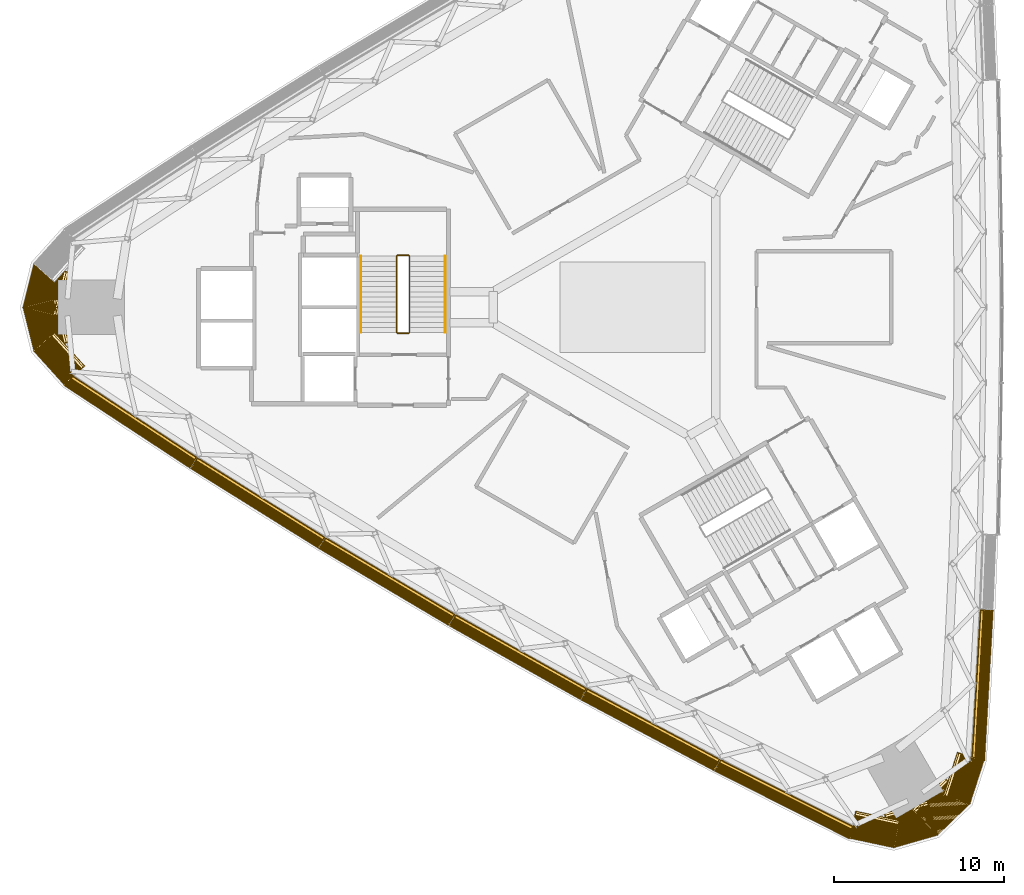
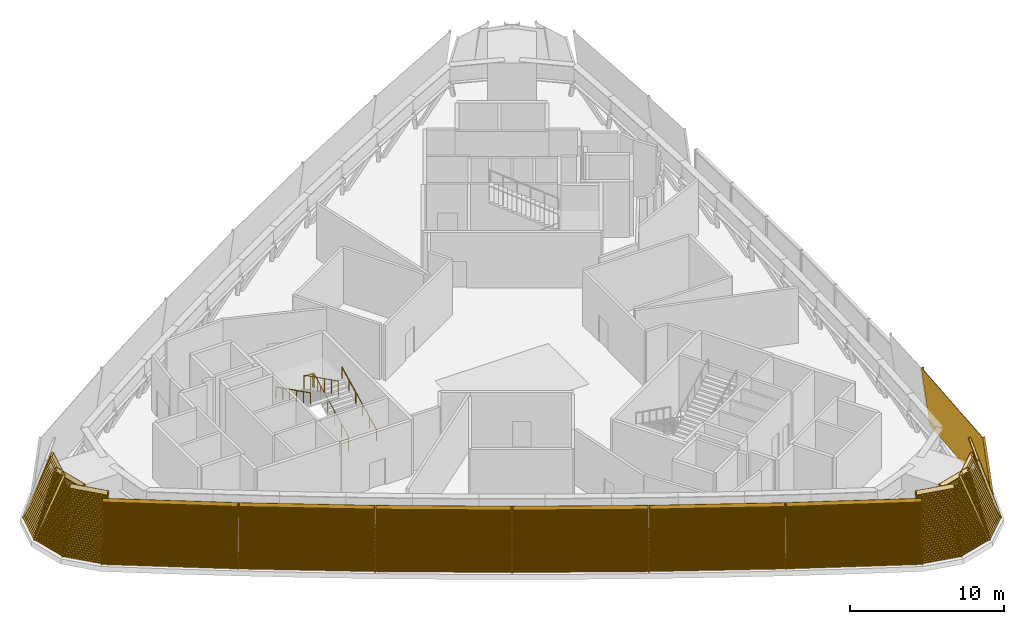
# One storey, part 14 of 17: 14 coverings, 3 railings.
"""IFC4 building model written with IfcOpenShell, lengths in metres."""

from ifc_helpers import new_model, si_unit, direction, frame, frame_2d, origin, origin_2d, place, context, subcontext, project, spatial, rectangle, circle, extrude, source, transform, mapped, material, type_object, element, save


model = new_model("IFC4")

# Units and contexts
model_context = context("Model", 3, precision=1e-05, world=origin(), true_north=direction((0.0, 1.0)))
body_context = subcontext(model_context, "Body", "Model", "MODEL_VIEW")
ifc_project = project(units=[si_unit("LENGTHUNIT", "METRE"), si_unit("AREAUNIT", "SQUARE_METRE"), si_unit("VOLUMEUNIT", "CUBIC_METRE"), si_unit("PLANEANGLEUNIT", "RADIAN"), si_unit("MASSUNIT", "GRAM", prefix="KILO")], contexts=[model_context])

# Site, building, storey
site_placement = place(None, origin())
site = spatial("IfcSite", under=ifc_project, at=site_placement, CompositionType="ELEMENT")
building_placement = place(site_placement, origin())
building = spatial("IfcBuilding", under=site, at=building_placement, Name="Tamra Quay Hotel Tower", CompositionType="ELEMENT")
storey_placement = place(building_placement, frame((0.0, 0.0, 119.0)))
storey = spatial("IfcBuildingStorey", under=building, at=storey_placement, Name="L29", CompositionType="ELEMENT", Elevation=119.0)

# Railings
ifc_material_1 = material(Name="Stair guard 1100")
railing_type_1 = type_object("IfcRailingType", Name="Stair guard 1100", PredefinedType="GUARDRAIL", material=ifc_material_1)
railing_1_placement = place(storey_placement, frame((-13.84130859375, -1.530029296875, 0.0)))
element("IfcRailing", 1, at=railing_1_placement, inside=storey, type_object=railing_type_1, Name="GR", PredefinedType="GUARDRAIL", context=body_context, shape_type="SweptSolid", body=[
    extrude(circle(Radius=0.02392578125, at=origin_2d()), frame((0.0, 0.0, 1.076171875), z_axis=(1.0, 0.0, 0.0), x_axis=(0.0, 1.0, 0.0)), (0.0, 0.0, 1.0), 0.658935546875),
    extrude(circle(Radius=0.02392578125, at=origin_2d()), frame((0.658935546875, 0.0, 1.076171875), z_axis=(0.301912943143, 0.301912943143, 0.904266083366), x_axis=(-0.707106781187, 0.707106781187, 0.0)), (0.0, 0.0, 1.0), 0.165771484375),
    extrude(circle(Radius=0.02392578125, at=origin_2d()), frame((0.708984375, 0.050048828125, 1.22607421875), z_axis=(0.0, 0.893823034308, 0.448419873935), x_axis=(-1.0, 0.0, 0.0)), (0.0, 0.0, 1.0), 5.017578125),
    extrude(circle(Radius=0.02392578125, at=origin_2d()), frame((0.708984375, 4.534912109375, 3.47607421875), z_axis=(-0.707106781187, 0.707106781187, 0.0), x_axis=(-0.707106781187, -0.707106781187, 0.0)), (0.0, 0.0, 1.0), 0.07080078125),
    extrude(circle(Radius=0.02392578125, at=origin_2d()), frame((0.658935546875, 4.5849609375, 3.47607421875), z_axis=(-1.0, 0.0, 0.0), x_axis=(0.0, -1.0, 0.0)), (0.0, 0.0, 1.0), 0.658935546875),
    extrude(circle(Radius=0.02392578125, at=origin_2d()), frame((0.0, 4.5849609375, 3.47607421875), z_axis=(-0.301511344578, -0.301511344578, 0.904534033733), x_axis=(0.707106781187, -0.707106781187, 0.0)), (0.0, 0.0, 1.0), 0.166015625),
    extrude(circle(Radius=0.02392578125, at=origin_2d()), frame((-0.050048828125, 4.534912109375, 3.6259765625), z_axis=(0.0, -0.893823034308, 0.448419873935), x_axis=(1.0, 0.0, 0.0)), (0.0, 0.0, 1.0), 5.017578125),
    extrude(circle(Radius=0.02099609375, at=origin_2d()), origin(), (0.0, 0.0, 1.0), 1.052001953125),
    extrude(circle(Radius=0.02099609375, at=origin_2d()), frame((0.658935546875, 0.0, 0.0)), (0.0, 0.0, 1.0), 1.052001953125),
    extrude(circle(Radius=0.02099609375, at=origin_2d()), frame((0.708984375, 0.050048828125, 0.14990234375)), (0.0, 0.0, 1.0), 1.052001953125),
    extrude(circle(Radius=0.02099609375, at=origin_2d()), frame((0.708984375, 0.947021484375, 0.599853515625)), (0.0, 0.0, 1.0), 1.052001953125),
    extrude(circle(Radius=0.02099609375, at=origin_2d()), frame((0.708984375, 1.843994140625, 1.0498046875)), (0.0, 0.0, 1.0), 1.052001953125),
    extrude(circle(Radius=0.02099609375, at=origin_2d()), frame((0.708984375, 2.740966796875, 1.5)), (0.0, 0.0, 1.0), 1.052001953125),
    extrude(circle(Radius=0.02099609375, at=origin_2d()), frame((0.708984375, 3.637939453125, 1.949951171875)), (0.0, 0.0, 1.0), 1.052001953125),
    extrude(circle(Radius=0.02099609375, at=origin_2d()), frame((0.708984375, 4.534912109375, 2.39990234375)), (0.0, 0.0, 1.0), 1.052001953125),
    extrude(circle(Radius=0.02099609375, at=origin_2d()), frame((0.658935546875, 4.5849609375, 2.39990234375)), (0.0, 0.0, 1.0), 1.052001953125),
    extrude(circle(Radius=0.02099609375, at=origin_2d()), frame((0.0, 4.5849609375, 2.39990234375)), (0.0, 0.0, 1.0), 1.052001953125),
    extrude(circle(Radius=0.02099609375, at=origin_2d()), frame((-0.050048828125, 4.534912109375, 2.550048828125)), (0.0, 0.0, 1.0), 1.052001953125),
    extrude(circle(Radius=0.02099609375, at=origin_2d()), frame((-0.050048828125, 3.637939453125, 3.0)), (0.0, 0.0, 1.0), 1.052001953125),
    extrude(circle(Radius=0.02099609375, at=origin_2d()), frame((-0.050048828125, 2.740966796875, 3.449951171875)), (0.0, 0.0, 1.0), 1.052001953125),
    extrude(circle(Radius=0.02099609375, at=origin_2d()), frame((-0.050048828125, 1.843994140625, 3.900146484375)), (0.0, 0.0, 1.0), 1.052001953125),
    extrude(circle(Radius=0.02099609375, at=origin_2d()), frame((-0.050048828125, 0.947021484375, 4.35009765625)), (0.0, 0.0, 1.0), 1.052001953125),
    extrude(circle(Radius=0.02099609375, at=origin_2d()), frame((-0.050048828125, 0.050048828125, 4.800048828125)), (0.0, 0.0, 1.0), 1.052001953125),
])
ifc_material_2 = material(Name="Stair handrail 900")
railing_type_2 = type_object("IfcRailingType", Name="Stair handrail 900", PredefinedType="HANDRAIL", material=ifc_material_2)
railing_2_placement = place(storey_placement, frame((-11.0322265625, -1.47998046875, 0.14990234375)))
element("IfcRailing", 2, at=railing_2_placement, inside=storey, type_object=railing_type_2, Name="HR", PredefinedType="HANDRAIL", context=body_context, shape_type="SweptSolid", body=[
    extrude(circle(Radius=0.02392578125, at=origin_2d()), frame((0.0, 0.0, 0.8759765625), z_axis=(0.0, 0.893823034308, 0.448419873935), x_axis=(-1.0, 0.0, 0.0)), (0.0, 0.0, 1.0), 5.017578125),
    extrude(circle(Radius=0.02099609375, at=origin_2d()), origin(), (0.0, 0.0, 1.0), 0.851806640625),
    extrude(circle(Radius=0.02099609375, at=origin_2d()), frame((0.0, 0.89697265625, 0.449951171875)), (0.0, 0.0, 1.0), 0.851806640625),
    extrude(circle(Radius=0.02099609375, at=origin_2d()), frame((0.0, 1.7939453125, 0.89990234375)), (0.0, 0.0, 1.0), 0.851806640625),
    extrude(circle(Radius=0.02099609375, at=origin_2d()), frame((0.0, 2.69091796875, 1.35009765625)), (0.0, 0.0, 1.0), 0.851806640625),
    extrude(circle(Radius=0.02099609375, at=origin_2d()), frame((0.0, 3.587890625, 1.800048828125)), (0.0, 0.0, 1.0), 0.851806640625),
    extrude(circle(Radius=0.02099609375, at=origin_2d()), frame((0.0, 4.48486328125, 2.25)), (0.0, 0.0, 1.0), 0.851806640625),
])
railing_3_placement = place(storey_placement, frame((-15.9912109375, 3.0048828125, 2.550048828125)))
element("IfcRailing", 3, at=railing_3_placement, inside=storey, type_object=railing_type_2, Name="HR", PredefinedType="HANDRAIL", context=body_context, shape_type="SweptSolid", body=[
    extrude(circle(Radius=0.02392578125, at=origin_2d()), frame((0.0, 0.0, 0.8759765625), z_axis=(0.0, -0.893823034308, 0.448419873935), x_axis=(1.0, 0.0, 0.0)), (0.0, 0.0, 1.0), 5.017578125),
    extrude(circle(Radius=0.02099609375, at=origin_2d()), origin(), (0.0, 0.0, 1.0), 0.851806640625),
    extrude(circle(Radius=0.02099609375, at=origin_2d()), frame((0.0, -0.89697265625, 0.449951171875)), (0.0, 0.0, 1.0), 0.851806640625),
    extrude(circle(Radius=0.02099609375, at=origin_2d()), frame((0.0, -1.7939453125, 0.89990234375)), (0.0, 0.0, 1.0), 0.851806640625),
    extrude(circle(Radius=0.02099609375, at=origin_2d()), frame((0.0, -2.69091796875, 1.35009765625)), (0.0, 0.0, 1.0), 0.851806640625),
    extrude(circle(Radius=0.02099609375, at=origin_2d()), frame((0.0, -3.587890625, 1.800048828125)), (0.0, 0.0, 1.0), 0.851806640625),
    extrude(circle(Radius=0.02099609375, at=origin_2d()), frame((0.0, -4.48486328125, 2.25)), (0.0, 0.0, 1.0), 0.851806640625),
])

# Coverings
ifc_material_3 = material(Name="Terracotta louvre panel", Category="masonry")
covering_type_1 = type_object("IfcCoveringType", Name="PLANT LOUVRE H4841", PredefinedType="USERDEFINED", material=ifc_material_3)
shared_shape_1 = source(origin(), body_context, "Body", "SweptSolid", [
    extrude(rectangle(XDim=8.8798828125, YDim=0.030029296875, at=frame_2d((4.43994140625, 0.01513671875))), frame((-4.43994140625, -0.030029296875, 0.0)), (0.0, 0.0, 1.0), 4.841064453125),
    extrude(rectangle(XDim=0.050048828125, YDim=0.139892578125, at=frame_2d((0.02490234375, 0.06982421875))), frame((-4.43994140625, -0.169921875, 0.0)), (0.0, 0.0, 1.0), 4.841064453125),
    extrude(rectangle(XDim=0.050048828125, YDim=0.139892578125, at=frame_2d((0.02490234375, 0.06982421875))), frame((4.389892578125, -0.169921875, 0.0)), (0.0, 0.0, 1.0), 4.841064453125),
    extrude(rectangle(XDim=8.780029296875, YDim=0.139892578125, at=frame_2d((4.39013671875, 0.06982421875))), frame((-4.389892578125, -0.169921875, 0.050048828125)), (0.0, 0.0, 1.0), 0.034912109375),
    extrude(rectangle(XDim=8.780029296875, YDim=0.139892578125, at=frame_2d((4.39013671875, 0.06982421875))), frame((-4.389892578125, -0.169921875, 0.2099609375)), (0.0, 0.0, 1.0), 0.034912109375),
    extrude(rectangle(XDim=8.780029296875, YDim=0.139892578125, at=frame_2d((4.39013671875, 0.06982421875))), frame((-4.389892578125, -0.169921875, 0.3701171875)), (0.0, 0.0, 1.0), 0.034912109375),
    extrude(rectangle(XDim=8.780029296875, YDim=0.139892578125, at=frame_2d((4.39013671875, 0.06982421875))), frame((-4.389892578125, -0.169921875, 0.530029296875)), (0.0, 0.0, 1.0), 0.034912109375),
    extrude(rectangle(XDim=8.780029296875, YDim=0.139892578125, at=frame_2d((4.39013671875, 0.06982421875))), frame((-4.389892578125, -0.169921875, 0.68994140625)), (0.0, 0.0, 1.0), 0.034912109375),
    extrude(rectangle(XDim=8.780029296875, YDim=0.139892578125, at=frame_2d((4.39013671875, 0.06982421875))), frame((-4.389892578125, -0.169921875, 0.85009765625)), (0.0, 0.0, 1.0), 0.034912109375),
    extrude(rectangle(XDim=8.780029296875, YDim=0.139892578125, at=frame_2d((4.39013671875, 0.06982421875))), frame((-4.389892578125, -0.169921875, 1.010009765625)), (0.0, 0.0, 1.0), 0.034912109375),
    extrude(rectangle(XDim=8.780029296875, YDim=0.139892578125, at=frame_2d((4.39013671875, 0.06982421875))), frame((-4.389892578125, -0.169921875, 1.169921875)), (0.0, 0.0, 1.0), 0.034912109375),
    extrude(rectangle(XDim=8.780029296875, YDim=0.139892578125, at=frame_2d((4.39013671875, 0.06982421875))), frame((-4.389892578125, -0.169921875, 1.330078125)), (0.0, 0.0, 1.0), 0.034912109375),
    extrude(rectangle(XDim=8.780029296875, YDim=0.139892578125, at=frame_2d((4.39013671875, 0.06982421875))), frame((-4.389892578125, -0.169921875, 1.489990234375)), (0.0, 0.0, 1.0), 0.034912109375),
    extrude(rectangle(XDim=8.780029296875, YDim=0.139892578125, at=frame_2d((4.39013671875, 0.06982421875))), frame((-4.389892578125, -0.169921875, 1.64990234375)), (0.0, 0.0, 1.0), 0.034912109375),
    extrude(rectangle(XDim=8.780029296875, YDim=0.139892578125, at=frame_2d((4.39013671875, 0.06982421875))), frame((-4.389892578125, -0.169921875, 1.81005859375)), (0.0, 0.0, 1.0), 0.034912109375),
    extrude(rectangle(XDim=8.780029296875, YDim=0.139892578125, at=frame_2d((4.39013671875, 0.06982421875))), frame((-4.389892578125, -0.169921875, 1.969970703125)), (0.0, 0.0, 1.0), 0.034912109375),
    extrude(rectangle(XDim=8.780029296875, YDim=0.139892578125, at=frame_2d((4.39013671875, 0.06982421875))), frame((-4.389892578125, -0.169921875, 2.1298828125)), (0.0, 0.0, 1.0), 0.034912109375),
    extrude(rectangle(XDim=8.780029296875, YDim=0.139892578125, at=frame_2d((4.39013671875, 0.06982421875))), frame((-4.389892578125, -0.169921875, 2.2900390625)), (0.0, 0.0, 1.0), 0.034912109375),
    extrude(rectangle(XDim=8.780029296875, YDim=0.139892578125, at=frame_2d((4.39013671875, 0.06982421875))), frame((-4.389892578125, -0.169921875, 2.449951171875)), (0.0, 0.0, 1.0), 0.034912109375),
    extrude(rectangle(XDim=8.780029296875, YDim=0.139892578125, at=frame_2d((4.39013671875, 0.06982421875))), frame((-4.389892578125, -0.169921875, 2.610107421875)), (0.0, 0.0, 1.0), 0.034912109375),
    extrude(rectangle(XDim=8.780029296875, YDim=0.139892578125, at=frame_2d((4.39013671875, 0.06982421875))), frame((-4.389892578125, -0.169921875, 2.77001953125)), (0.0, 0.0, 1.0), 0.034912109375),
    extrude(rectangle(XDim=8.780029296875, YDim=0.139892578125, at=frame_2d((4.39013671875, 0.06982421875))), frame((-4.389892578125, -0.169921875, 2.929931640625)), (0.0, 0.0, 1.0), 0.034912109375),
    extrude(rectangle(XDim=8.780029296875, YDim=0.139892578125, at=frame_2d((4.39013671875, 0.06982421875))), frame((-4.389892578125, -0.169921875, 3.090087890625)), (0.0, 0.0, 1.0), 0.034912109375),
    extrude(rectangle(XDim=8.780029296875, YDim=0.139892578125, at=frame_2d((4.39013671875, 0.06982421875))), frame((-4.389892578125, -0.169921875, 3.25)), (0.0, 0.0, 1.0), 0.034912109375),
    extrude(rectangle(XDim=8.780029296875, YDim=0.139892578125, at=frame_2d((4.39013671875, 0.06982421875))), frame((-4.389892578125, -0.169921875, 3.409912109375)), (0.0, 0.0, 1.0), 0.034912109375),
    extrude(rectangle(XDim=8.780029296875, YDim=0.139892578125, at=frame_2d((4.39013671875, 0.06982421875))), frame((-4.389892578125, -0.169921875, 3.570068359375)), (0.0, 0.0, 1.0), 0.034912109375),
    extrude(rectangle(XDim=8.780029296875, YDim=0.139892578125, at=frame_2d((4.39013671875, 0.06982421875))), frame((-4.389892578125, -0.169921875, 3.72998046875)), (0.0, 0.0, 1.0), 0.034912109375),
    extrude(rectangle(XDim=8.780029296875, YDim=0.139892578125, at=frame_2d((4.39013671875, 0.06982421875))), frame((-4.389892578125, -0.169921875, 3.889892578125)), (0.0, 0.0, 1.0), 0.034912109375),
    extrude(rectangle(XDim=8.780029296875, YDim=0.139892578125, at=frame_2d((4.39013671875, 0.06982421875))), frame((-4.389892578125, -0.169921875, 4.050048828125)), (0.0, 0.0, 1.0), 0.034912109375),
    extrude(rectangle(XDim=8.780029296875, YDim=0.139892578125, at=frame_2d((4.39013671875, 0.06982421875))), frame((-4.389892578125, -0.169921875, 4.2099609375)), (0.0, 0.0, 1.0), 0.034912109375),
    extrude(rectangle(XDim=8.780029296875, YDim=0.139892578125, at=frame_2d((4.39013671875, 0.06982421875))), frame((-4.389892578125, -0.169921875, 4.3701171875)), (0.0, 0.0, 1.0), 0.034912109375),
    extrude(rectangle(XDim=8.780029296875, YDim=0.139892578125, at=frame_2d((4.39013671875, 0.06982421875))), frame((-4.389892578125, -0.169921875, 4.530029296875)), (0.0, 0.0, 1.0), 0.034912109375),
])
for number, where, z_axis, x_axis, name in (
    (4, (20.826171875, -22.258056640625, 0.0), (-0.130314008821, 0.007439486567, 0.991444861374), (0.056996120399, 0.998374399842, 0.0), "Plant louvre L29.E.f00"),
    (5, (-29.68896484375, -6.906982421875, 0.0), (0.071599788769, 0.109135498825, 0.991444861374), (0.836119532552, -0.548547288104, 0.0), "Plant louvre L29.SW.f00"),
    (6, (-22.18603515625, -11.708251953125, 0.0), (0.06909589031, 0.110737729784, 0.991444861374), (0.848394700717, -0.52936417691, 0.0), "Plant louvre L29.SW.f02"),
    (7, (-14.5751953125, -16.337158203125, 0.0), (0.066550133308, 0.112286092693, 0.991444861374), (0.860257169714, -0.509860374961, 0.0), "Plant louvre L29.SW.f04"),
    (8, (-6.86083984375, -20.791015625, 0.0), (0.06396754211, 0.113777152416, 0.991444861374), (0.871680621957, -0.490074375279, 0.0), "Plant louvre L29.SW.f06"),
    (9, (0.953369140625, -25.067626953125, 0.0), (0.061353741996, 0.115207661198, 0.991444861374), (0.882640175416, -0.470049274802, 0.0), "Plant louvre L29.SW.f08"),
    (10, (8.863037109375, -29.164794921875, 0.0), (0.058714220053, 0.116574985392, 0.991444861374), (0.893115652951, -0.449827111738, 0.0), "Plant louvre L29.SW.f10"),
):
    element("IfcCovering", number, at=place(storey_placement, frame(where, z_axis=z_axis, x_axis=x_axis)), inside=storey, type_object=covering_type_1, Name=name, ObjectType="LOUVER", PredefinedType="USERDEFINED", context=body_context, shape_type="MappedRepresentation", body=[
        mapped(shared_shape_1, transform((0.0, 0.0, 0.0), scale=1.0)),
    ])
covering_type_2 = type_object("IfcCoveringType", Name="PLANT LOUVRE H5033", PredefinedType="USERDEFINED", material=ifc_material_3)
shared_shape_2 = source(origin(), body_context, "Body", "SweptSolid", [
    extrude(rectangle(XDim=2.699951171875, YDim=0.030029296875, at=frame_2d((1.35009765625, 0.01513671875))), frame((-1.35009765625, -0.030029296875, 0.0)), (0.0, 0.0, 1.0), 5.032958984375),
    extrude(rectangle(XDim=0.050048828125, YDim=0.139892578125, at=frame_2d((0.02490234375, 0.06982421875))), frame((-1.35009765625, -0.169921875, 0.0)), (0.0, 0.0, 1.0), 5.032958984375),
    extrude(rectangle(XDim=0.050048828125, YDim=0.139892578125, at=frame_2d((0.02490234375, 0.06982421875))), frame((1.300048828125, -0.169921875, 0.0)), (0.0, 0.0, 1.0), 5.032958984375),
    extrude(rectangle(XDim=2.60009765625, YDim=0.139892578125, at=frame_2d((1.300048828125, 0.06982421875))), frame((-1.300048828125, -0.169921875, 0.050048828125)), (0.0, 0.0, 1.0), 0.034912109375),
    extrude(rectangle(XDim=2.60009765625, YDim=0.139892578125, at=frame_2d((1.300048828125, 0.06982421875))), frame((-1.300048828125, -0.169921875, 0.2099609375)), (0.0, 0.0, 1.0), 0.034912109375),
    extrude(rectangle(XDim=2.60009765625, YDim=0.139892578125, at=frame_2d((1.300048828125, 0.06982421875))), frame((-1.300048828125, -0.169921875, 0.3701171875)), (0.0, 0.0, 1.0), 0.034912109375),
    extrude(rectangle(XDim=2.60009765625, YDim=0.139892578125, at=frame_2d((1.300048828125, 0.06982421875))), frame((-1.300048828125, -0.169921875, 0.530029296875)), (0.0, 0.0, 1.0), 0.034912109375),
    extrude(rectangle(XDim=2.60009765625, YDim=0.139892578125, at=frame_2d((1.300048828125, 0.06982421875))), frame((-1.300048828125, -0.169921875, 0.68994140625)), (0.0, 0.0, 1.0), 0.034912109375),
    extrude(rectangle(XDim=2.60009765625, YDim=0.139892578125, at=frame_2d((1.300048828125, 0.06982421875))), frame((-1.300048828125, -0.169921875, 0.85009765625)), (0.0, 0.0, 1.0), 0.034912109375),
    extrude(rectangle(XDim=2.60009765625, YDim=0.139892578125, at=frame_2d((1.300048828125, 0.06982421875))), frame((-1.300048828125, -0.169921875, 1.010009765625)), (0.0, 0.0, 1.0), 0.034912109375),
    extrude(rectangle(XDim=2.60009765625, YDim=0.139892578125, at=frame_2d((1.300048828125, 0.06982421875))), frame((-1.300048828125, -0.169921875, 1.169921875)), (0.0, 0.0, 1.0), 0.034912109375),
    extrude(rectangle(XDim=2.60009765625, YDim=0.139892578125, at=frame_2d((1.300048828125, 0.06982421875))), frame((-1.300048828125, -0.169921875, 1.330078125)), (0.0, 0.0, 1.0), 0.034912109375),
    extrude(rectangle(XDim=2.60009765625, YDim=0.139892578125, at=frame_2d((1.300048828125, 0.06982421875))), frame((-1.300048828125, -0.169921875, 1.489990234375)), (0.0, 0.0, 1.0), 0.034912109375),
    extrude(rectangle(XDim=2.60009765625, YDim=0.139892578125, at=frame_2d((1.300048828125, 0.06982421875))), frame((-1.300048828125, -0.169921875, 1.64990234375)), (0.0, 0.0, 1.0), 0.034912109375),
    extrude(rectangle(XDim=2.60009765625, YDim=0.139892578125, at=frame_2d((1.300048828125, 0.06982421875))), frame((-1.300048828125, -0.169921875, 1.81005859375)), (0.0, 0.0, 1.0), 0.034912109375),
    extrude(rectangle(XDim=2.60009765625, YDim=0.139892578125, at=frame_2d((1.300048828125, 0.06982421875))), frame((-1.300048828125, -0.169921875, 1.969970703125)), (0.0, 0.0, 1.0), 0.034912109375),
    extrude(rectangle(XDim=2.60009765625, YDim=0.139892578125, at=frame_2d((1.300048828125, 0.06982421875))), frame((-1.300048828125, -0.169921875, 2.1298828125)), (0.0, 0.0, 1.0), 0.034912109375),
    extrude(rectangle(XDim=2.60009765625, YDim=0.139892578125, at=frame_2d((1.300048828125, 0.06982421875))), frame((-1.300048828125, -0.169921875, 2.2900390625)), (0.0, 0.0, 1.0), 0.034912109375),
    extrude(rectangle(XDim=2.60009765625, YDim=0.139892578125, at=frame_2d((1.300048828125, 0.06982421875))), frame((-1.300048828125, -0.169921875, 2.449951171875)), (0.0, 0.0, 1.0), 0.034912109375),
    extrude(rectangle(XDim=2.60009765625, YDim=0.139892578125, at=frame_2d((1.300048828125, 0.06982421875))), frame((-1.300048828125, -0.169921875, 2.610107421875)), (0.0, 0.0, 1.0), 0.034912109375),
    extrude(rectangle(XDim=2.60009765625, YDim=0.139892578125, at=frame_2d((1.300048828125, 0.06982421875))), frame((-1.300048828125, -0.169921875, 2.77001953125)), (0.0, 0.0, 1.0), 0.034912109375),
    extrude(rectangle(XDim=2.60009765625, YDim=0.139892578125, at=frame_2d((1.300048828125, 0.06982421875))), frame((-1.300048828125, -0.169921875, 2.929931640625)), (0.0, 0.0, 1.0), 0.034912109375),
    extrude(rectangle(XDim=2.60009765625, YDim=0.139892578125, at=frame_2d((1.300048828125, 0.06982421875))), frame((-1.300048828125, -0.169921875, 3.090087890625)), (0.0, 0.0, 1.0), 0.034912109375),
    extrude(rectangle(XDim=2.60009765625, YDim=0.139892578125, at=frame_2d((1.300048828125, 0.06982421875))), frame((-1.300048828125, -0.169921875, 3.25)), (0.0, 0.0, 1.0), 0.034912109375),
    extrude(rectangle(XDim=2.60009765625, YDim=0.139892578125, at=frame_2d((1.300048828125, 0.06982421875))), frame((-1.300048828125, -0.169921875, 3.409912109375)), (0.0, 0.0, 1.0), 0.034912109375),
    extrude(rectangle(XDim=2.60009765625, YDim=0.139892578125, at=frame_2d((1.300048828125, 0.06982421875))), frame((-1.300048828125, -0.169921875, 3.570068359375)), (0.0, 0.0, 1.0), 0.034912109375),
    extrude(rectangle(XDim=2.60009765625, YDim=0.139892578125, at=frame_2d((1.300048828125, 0.06982421875))), frame((-1.300048828125, -0.169921875, 3.72998046875)), (0.0, 0.0, 1.0), 0.034912109375),
    extrude(rectangle(XDim=2.60009765625, YDim=0.139892578125, at=frame_2d((1.300048828125, 0.06982421875))), frame((-1.300048828125, -0.169921875, 3.889892578125)), (0.0, 0.0, 1.0), 0.034912109375),
    extrude(rectangle(XDim=2.60009765625, YDim=0.139892578125, at=frame_2d((1.300048828125, 0.06982421875))), frame((-1.300048828125, -0.169921875, 4.050048828125)), (0.0, 0.0, 1.0), 0.034912109375),
    extrude(rectangle(XDim=2.60009765625, YDim=0.139892578125, at=frame_2d((1.300048828125, 0.06982421875))), frame((-1.300048828125, -0.169921875, 4.2099609375)), (0.0, 0.0, 1.0), 0.034912109375),
    extrude(rectangle(XDim=2.60009765625, YDim=0.139892578125, at=frame_2d((1.300048828125, 0.06982421875))), frame((-1.300048828125, -0.169921875, 4.3701171875)), (0.0, 0.0, 1.0), 0.034912109375),
    extrude(rectangle(XDim=2.60009765625, YDim=0.139892578125, at=frame_2d((1.300048828125, 0.06982421875))), frame((-1.300048828125, -0.169921875, 4.530029296875)), (0.0, 0.0, 1.0), 0.034912109375),
    extrude(rectangle(XDim=2.60009765625, YDim=0.139892578125, at=frame_2d((1.300048828125, 0.06982421875))), frame((-1.300048828125, -0.169921875, 4.68994140625)), (0.0, 0.0, 1.0), 0.034912109375),
])
for number, where, z_axis, x_axis, name in (
    (11, (-34.26171875, -3.473876953125, 0.0), (0.223208419689, 0.201499328127, 0.953716950748), (0.670087934649, -0.742281725383, 0.0), "Plant louvre L29.NW.c03"),
    (12, (14.12255859375, -31.408447265625, 0.0), (0.062899327159, 0.294053825852, 0.953716950748), (0.977878798271, -0.209172311484, 0.0), "Plant louvre L29.SW.c00"),
    (13, (20.13916015625, -27.9345703125, 0.0), (-0.286107746848, 0.092554497726, 0.953716950748), (0.307790863622, 0.951454036867, 0.0), "Plant louvre L29.SW.c03"),
):
    element("IfcCovering", number, at=place(storey_placement, frame(where, z_axis=z_axis, x_axis=x_axis)), inside=storey, type_object=covering_type_2, Name=name, ObjectType="LOUVER", PredefinedType="USERDEFINED", context=body_context, shape_type="MappedRepresentation", body=[
        mapped(shared_shape_2, transform((0.0, 0.0, 0.0), scale=1.0)),
    ])
covering_type_3 = type_object("IfcCoveringType", Name="PLANT LOUVRE H5195", PredefinedType="USERDEFINED", material=ifc_material_3)
shared_shape_3 = source(origin(), body_context, "Body", "SweptSolid", [
    extrude(rectangle(XDim=2.699951171875, YDim=0.030029296875, at=frame_2d((1.35009765625, 0.01513671875))), frame((-1.35009765625, -0.030029296875, 0.0)), (0.0, 0.0, 1.0), 5.195068359375),
    extrude(rectangle(XDim=0.050048828125, YDim=0.139892578125, at=frame_2d((0.02490234375, 0.06982421875))), frame((-1.35009765625, -0.169921875, 0.0)), (0.0, 0.0, 1.0), 5.195068359375),
    extrude(rectangle(XDim=0.050048828125, YDim=0.139892578125, at=frame_2d((0.02490234375, 0.06982421875))), frame((1.300048828125, -0.169921875, 0.0)), (0.0, 0.0, 1.0), 5.195068359375),
    extrude(rectangle(XDim=2.60009765625, YDim=0.139892578125, at=frame_2d((1.300048828125, 0.06982421875))), frame((-1.300048828125, -0.169921875, 0.050048828125)), (0.0, 0.0, 1.0), 0.034912109375),
    extrude(rectangle(XDim=2.60009765625, YDim=0.139892578125, at=frame_2d((1.300048828125, 0.06982421875))), frame((-1.300048828125, -0.169921875, 0.2099609375)), (0.0, 0.0, 1.0), 0.034912109375),
    extrude(rectangle(XDim=2.60009765625, YDim=0.139892578125, at=frame_2d((1.300048828125, 0.06982421875))), frame((-1.300048828125, -0.169921875, 0.3701171875)), (0.0, 0.0, 1.0), 0.034912109375),
    extrude(rectangle(XDim=2.60009765625, YDim=0.139892578125, at=frame_2d((1.300048828125, 0.06982421875))), frame((-1.300048828125, -0.169921875, 0.530029296875)), (0.0, 0.0, 1.0), 0.034912109375),
    extrude(rectangle(XDim=2.60009765625, YDim=0.139892578125, at=frame_2d((1.300048828125, 0.06982421875))), frame((-1.300048828125, -0.169921875, 0.68994140625)), (0.0, 0.0, 1.0), 0.034912109375),
    extrude(rectangle(XDim=2.60009765625, YDim=0.139892578125, at=frame_2d((1.300048828125, 0.06982421875))), frame((-1.300048828125, -0.169921875, 0.85009765625)), (0.0, 0.0, 1.0), 0.034912109375),
    extrude(rectangle(XDim=2.60009765625, YDim=0.139892578125, at=frame_2d((1.300048828125, 0.06982421875))), frame((-1.300048828125, -0.169921875, 1.010009765625)), (0.0, 0.0, 1.0), 0.034912109375),
    extrude(rectangle(XDim=2.60009765625, YDim=0.139892578125, at=frame_2d((1.300048828125, 0.06982421875))), frame((-1.300048828125, -0.169921875, 1.169921875)), (0.0, 0.0, 1.0), 0.034912109375),
    extrude(rectangle(XDim=2.60009765625, YDim=0.139892578125, at=frame_2d((1.300048828125, 0.06982421875))), frame((-1.300048828125, -0.169921875, 1.330078125)), (0.0, 0.0, 1.0), 0.034912109375),
    extrude(rectangle(XDim=2.60009765625, YDim=0.139892578125, at=frame_2d((1.300048828125, 0.06982421875))), frame((-1.300048828125, -0.169921875, 1.489990234375)), (0.0, 0.0, 1.0), 0.034912109375),
    extrude(rectangle(XDim=2.60009765625, YDim=0.139892578125, at=frame_2d((1.300048828125, 0.06982421875))), frame((-1.300048828125, -0.169921875, 1.64990234375)), (0.0, 0.0, 1.0), 0.034912109375),
    extrude(rectangle(XDim=2.60009765625, YDim=0.139892578125, at=frame_2d((1.300048828125, 0.06982421875))), frame((-1.300048828125, -0.169921875, 1.81005859375)), (0.0, 0.0, 1.0), 0.034912109375),
    extrude(rectangle(XDim=2.60009765625, YDim=0.139892578125, at=frame_2d((1.300048828125, 0.06982421875))), frame((-1.300048828125, -0.169921875, 1.969970703125)), (0.0, 0.0, 1.0), 0.034912109375),
    extrude(rectangle(XDim=2.60009765625, YDim=0.139892578125, at=frame_2d((1.300048828125, 0.06982421875))), frame((-1.300048828125, -0.169921875, 2.1298828125)), (0.0, 0.0, 1.0), 0.034912109375),
    extrude(rectangle(XDim=2.60009765625, YDim=0.139892578125, at=frame_2d((1.300048828125, 0.06982421875))), frame((-1.300048828125, -0.169921875, 2.2900390625)), (0.0, 0.0, 1.0), 0.034912109375),
    extrude(rectangle(XDim=2.60009765625, YDim=0.139892578125, at=frame_2d((1.300048828125, 0.06982421875))), frame((-1.300048828125, -0.169921875, 2.449951171875)), (0.0, 0.0, 1.0), 0.034912109375),
    extrude(rectangle(XDim=2.60009765625, YDim=0.139892578125, at=frame_2d((1.300048828125, 0.06982421875))), frame((-1.300048828125, -0.169921875, 2.610107421875)), (0.0, 0.0, 1.0), 0.034912109375),
    extrude(rectangle(XDim=2.60009765625, YDim=0.139892578125, at=frame_2d((1.300048828125, 0.06982421875))), frame((-1.300048828125, -0.169921875, 2.77001953125)), (0.0, 0.0, 1.0), 0.034912109375),
    extrude(rectangle(XDim=2.60009765625, YDim=0.139892578125, at=frame_2d((1.300048828125, 0.06982421875))), frame((-1.300048828125, -0.169921875, 2.929931640625)), (0.0, 0.0, 1.0), 0.034912109375),
    extrude(rectangle(XDim=2.60009765625, YDim=0.139892578125, at=frame_2d((1.300048828125, 0.06982421875))), frame((-1.300048828125, -0.169921875, 3.090087890625)), (0.0, 0.0, 1.0), 0.034912109375),
    extrude(rectangle(XDim=2.60009765625, YDim=0.139892578125, at=frame_2d((1.300048828125, 0.06982421875))), frame((-1.300048828125, -0.169921875, 3.25)), (0.0, 0.0, 1.0), 0.034912109375),
    extrude(rectangle(XDim=2.60009765625, YDim=0.139892578125, at=frame_2d((1.300048828125, 0.06982421875))), frame((-1.300048828125, -0.169921875, 3.409912109375)), (0.0, 0.0, 1.0), 0.034912109375),
    extrude(rectangle(XDim=2.60009765625, YDim=0.139892578125, at=frame_2d((1.300048828125, 0.06982421875))), frame((-1.300048828125, -0.169921875, 3.570068359375)), (0.0, 0.0, 1.0), 0.034912109375),
    extrude(rectangle(XDim=2.60009765625, YDim=0.139892578125, at=frame_2d((1.300048828125, 0.06982421875))), frame((-1.300048828125, -0.169921875, 3.72998046875)), (0.0, 0.0, 1.0), 0.034912109375),
    extrude(rectangle(XDim=2.60009765625, YDim=0.139892578125, at=frame_2d((1.300048828125, 0.06982421875))), frame((-1.300048828125, -0.169921875, 3.889892578125)), (0.0, 0.0, 1.0), 0.034912109375),
    extrude(rectangle(XDim=2.60009765625, YDim=0.139892578125, at=frame_2d((1.300048828125, 0.06982421875))), frame((-1.300048828125, -0.169921875, 4.050048828125)), (0.0, 0.0, 1.0), 0.034912109375),
    extrude(rectangle(XDim=2.60009765625, YDim=0.139892578125, at=frame_2d((1.300048828125, 0.06982421875))), frame((-1.300048828125, -0.169921875, 4.2099609375)), (0.0, 0.0, 1.0), 0.034912109375),
    extrude(rectangle(XDim=2.60009765625, YDim=0.139892578125, at=frame_2d((1.300048828125, 0.06982421875))), frame((-1.300048828125, -0.169921875, 4.3701171875)), (0.0, 0.0, 1.0), 0.034912109375),
    extrude(rectangle(XDim=2.60009765625, YDim=0.139892578125, at=frame_2d((1.300048828125, 0.06982421875))), frame((-1.300048828125, -0.169921875, 4.530029296875)), (0.0, 0.0, 1.0), 0.034912109375),
    extrude(rectangle(XDim=2.60009765625, YDim=0.139892578125, at=frame_2d((1.300048828125, 0.06982421875))), frame((-1.300048828125, -0.169921875, 4.68994140625)), (0.0, 0.0, 1.0), 0.034912109375),
    extrude(rectangle(XDim=2.60009765625, YDim=0.139892578125, at=frame_2d((1.300048828125, 0.06982421875))), frame((-1.300048828125, -0.169921875, 4.85009765625)), (0.0, 0.0, 1.0), 0.034912109375),
])
for number, where, z_axis, x_axis, name in (
    (14, (-35.443359375, 1.25634765625, 0.0), (0.371276287559, -0.092739030095, 0.923879532511), (-0.242338764242, -0.970191694123, 0.0), "Plant louvre L29.NW.c01"),
    (15, (-35.443359375, -1.25634765625, 0.0), (0.371276287559, 0.092739030095, 0.923879532511), (0.242338764242, -0.970191694123, 0.0), "Plant louvre L29.NW.c02"),
    (16, (16.633544921875, -31.322998046875, 0.0), (-0.105323787795, 0.367904211897, 0.923879532511), (0.961380035772, 0.275224320906, 0.0), "Plant louvre L29.SW.c01"),
    (17, (18.8095703125, -30.066650390625, 0.0), (-0.265952499765, 0.275165181801, 0.923879532511), (0.71904127153, 0.694967373217, 0.0), "Plant louvre L29.SW.c02"),
):
    element("IfcCovering", number, at=place(storey_placement, frame(where, z_axis=z_axis, x_axis=x_axis)), inside=storey, type_object=covering_type_3, Name=name, ObjectType="LOUVER", PredefinedType="USERDEFINED", context=body_context, shape_type="MappedRepresentation", body=[
        mapped(shared_shape_3, transform((0.0, 0.0, 0.0), scale=1.0)),
    ])

save(model, "model.ifc")
